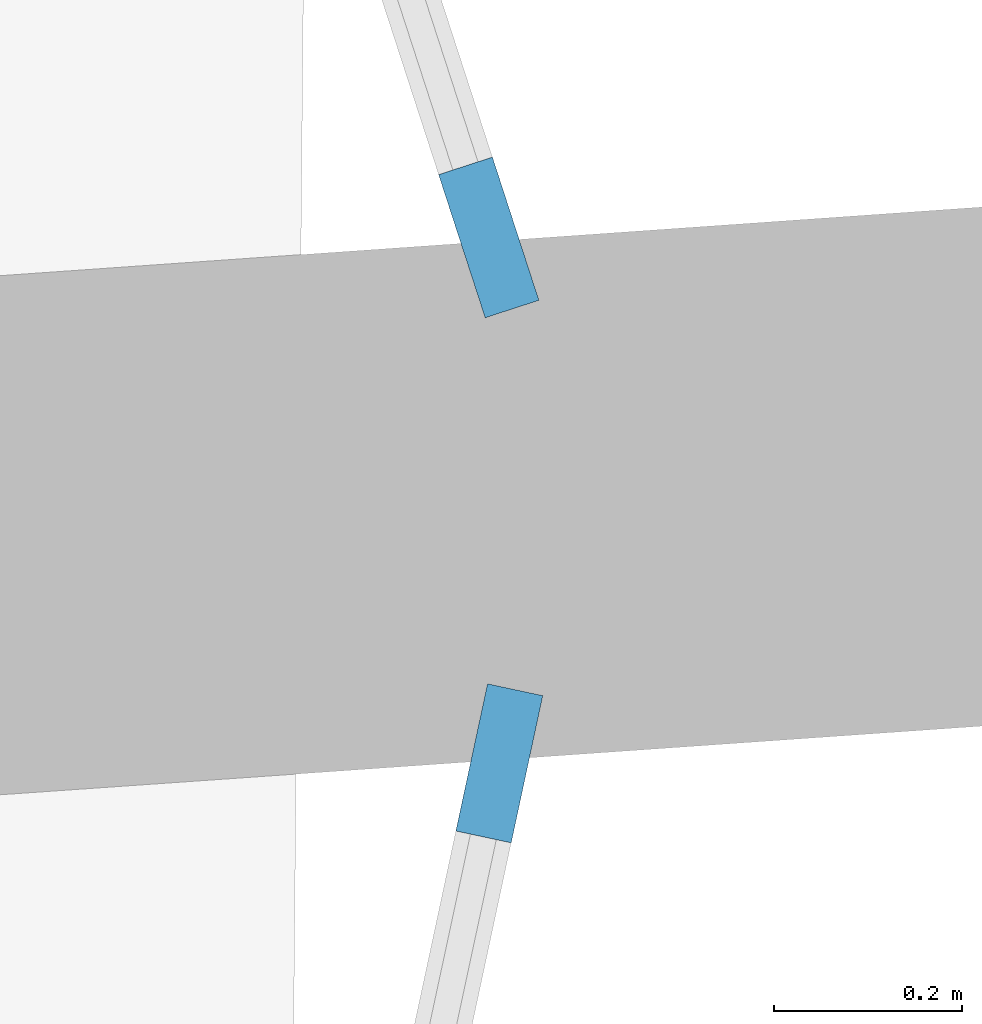
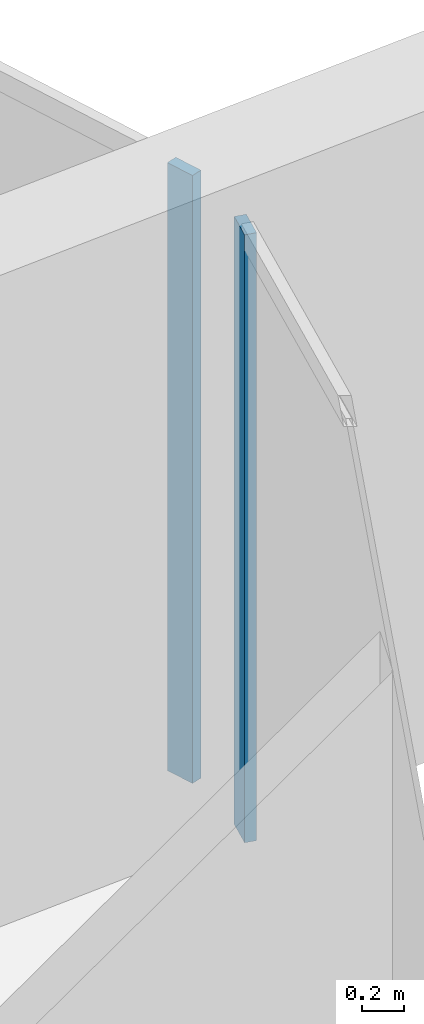
# One storey, part 17 of 31: 2 members, 2 elements without a shape of their own.
"""IFC4 building model written with IfcOpenShell, lengths in metres."""

from ifc_helpers import new_model, si_unit, direction, frame, origin, origin_2d, place, context, subcontext, project, spatial, rectangle, extrude, material, layer, layer_set, material_profile, profile_set, type_object, element, aggregate, save


model = new_model("IFC4")

# Units and contexts
model_context = context("Model", 3, precision=1e-05, world=origin(), true_north=direction((0.0, 1.0)))
body_context = subcontext(model_context, "Body", "Model", "MODEL_VIEW")
ifc_project = project(units=[si_unit("LENGTHUNIT", "METRE"), si_unit("AREAUNIT", "SQUARE_METRE"), si_unit("VOLUMEUNIT", "CUBIC_METRE"), si_unit("PLANEANGLEUNIT", "RADIAN"), si_unit("MASSUNIT", "GRAM", prefix="KILO")], contexts=[model_context])

# Site, building, storey
site_placement = place(None, origin())
site = spatial("IfcSite", under=ifc_project, at=site_placement, CompositionType="ELEMENT")
building_placement = place(site_placement, origin())
building = spatial("IfcBuilding", under=site, at=building_placement, Name="Kazma Halo Residences", CompositionType="ELEMENT")
storey_placement = place(building_placement, frame((0.0, 0.0, 60.14990234375)))
storey = spatial("IfcBuildingStorey", under=building, at=storey_placement, Name="L14", CompositionType="ELEMENT", Elevation=60.14990234375)

# Curtain wall, member
ifc_material_1 = material(Name="Aluminium AW-6063 T6 and Triple-Silver Low-E Glass", Category="aluminium")
ifc_layer = layer(ifc_material_1, 0.159912109375)
ifc_layer_set = layer_set([ifc_layer], Name="Aluminium AW-6063 T6 and Triple-Silver Low-E Glass")
curtain_wall_type = type_object("IfcCurtainWallType", Name="CW-SYS-2", PredefinedType="NOTDEFINED", material=ifc_layer_set)
curtain_wall_1_placement = place(storey_placement, origin())
curtain_wall_1 = element("IfcCurtainWall", 1, at=curtain_wall_1_placement, inside=storey, type_object=curtain_wall_type, Name="L14 unitised curtain wall B15", PredefinedType="NOTDEFINED")
ifc_material_2 = material(Name="Aluminium AW-6063 T6", Category="aluminium")
ifc_material_profile = material_profile(ifc_material_2, rectangle(XDim=0.06005859375, YDim=0.159912109375, at=origin_2d()), Name="CWM-60x160")
ifc_profile_set = profile_set([ifc_material_profile], Name="Aluminium AW-6063 T6")
member_type = type_object("IfcMemberType", Name="CW-SYS-2-MUL", PredefinedType="MULLION", material=ifc_profile_set)
member_1_placement = place(storey_placement, frame((79.74951171875, 43.940673828125, 0.0), z_axis=(0.0, 0.0, 1.0), x_axis=(-0.977779215096, 0.209637321406, 0.0)))
member_1 = element("IfcMember", 2, at=member_1_placement, type_object=member_type, Name="CWS-2 mullion 4", PredefinedType="MULLION", context=body_context, shape_type="SweptSolid", body=[
    extrude(rectangle(XDim=0.06005859375, YDim=0.159912109375, at=origin_2d()), origin(), (0.0, 0.0, 1.0), 3.5),
])
aggregate(curtain_wall_1, [member_1])

curtain_wall_2_placement = place(storey_placement, origin())
curtain_wall_2 = element("IfcCurtainWall", 3, at=curtain_wall_2_placement, inside=storey, type_object=curtain_wall_type, Name="L14 unitised curtain wall B16", PredefinedType="NOTDEFINED")
member_2_placement = place(storey_placement, frame((79.73828125, 44.499267578125, 0.0), z_axis=(0.0, 0.0, 1.0), x_axis=(-0.95105652404, -0.309016970539, 0.0)))
member_2 = element("IfcMember", 4, at=member_2_placement, type_object=member_type, Name="CWS-2 mullion 1", PredefinedType="MULLION", context=body_context, shape_type="SweptSolid", body=[
    extrude(rectangle(XDim=0.06005859375, YDim=0.159912109375, at=origin_2d()), origin(), (0.0, 0.0, 1.0), 3.5),
])
aggregate(curtain_wall_2, [member_2])

save(model, "model.ifc")
